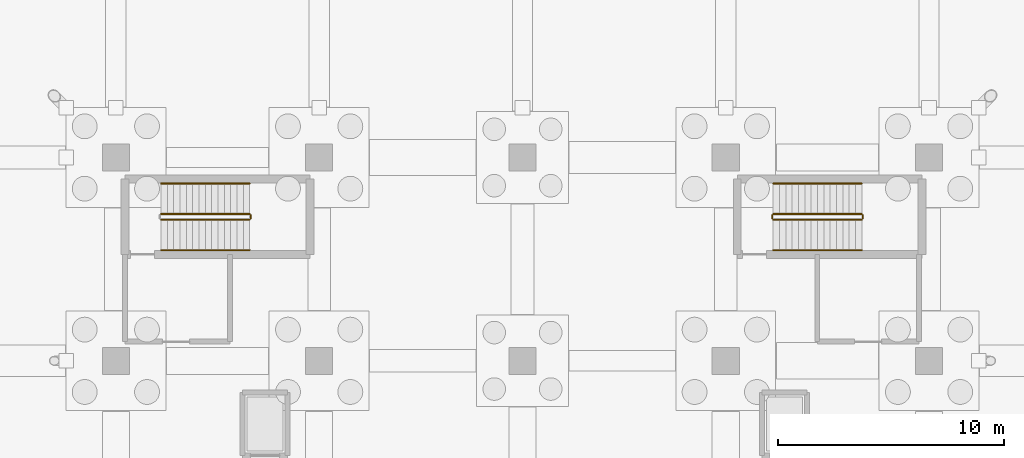
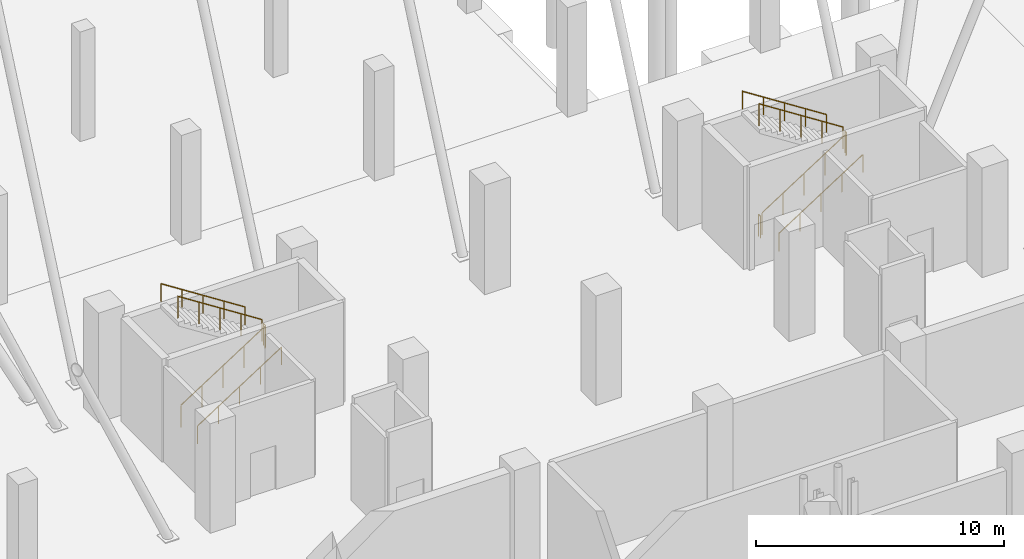
# One storey, part 38 of 42: 11 railings.
"""IFC4 building model written with IfcOpenShell, lengths in metres."""

from ifc_helpers import new_model, si_unit, direction, frame, origin, origin_2d, place, context, subcontext, project, spatial, circle, extrude, material, type_object, element, save


model = new_model("IFC4")

# Units and contexts
model_context = context("Model", 3, precision=1e-05, world=origin(), true_north=direction((0.0, 1.0)))
body_context = subcontext(model_context, "Body", "Model", "MODEL_VIEW")
ifc_project = project(units=[si_unit("LENGTHUNIT", "METRE"), si_unit("AREAUNIT", "SQUARE_METRE"), si_unit("VOLUMEUNIT", "CUBIC_METRE"), si_unit("PLANEANGLEUNIT", "RADIAN"), si_unit("MASSUNIT", "GRAM", prefix="KILO")], contexts=[model_context])

# Site, building, storey
site_placement = place(None, origin())
site = spatial("IfcSite", under=ifc_project, at=site_placement, CompositionType="ELEMENT")
building_placement = place(site_placement, origin())
building = spatial("IfcBuilding", under=site, at=building_placement, Name="Sundgate Opera House", CompositionType="ELEMENT")
storey_placement = place(building_placement, frame((0.0, 0.0, -5.39990234375)))
storey = spatial("IfcBuildingStorey", under=building, at=storey_placement, Name="B01", CompositionType="ELEMENT", Elevation=-5.39990234375)

# Railings
ifc_material_1 = material(Name="Painted steel S275 guardrail", Category="steel")
railing_type_1 = type_object("IfcRailingType", Name="RL-STAIR-GUARD-1100", PredefinedType="GUARDRAIL", material=ifc_material_1)
railing_1_placement = place(storey_placement, frame((38.0, 75.25, 0.179931640625)))
element("IfcRailing", 1, at=railing_1_placement, inside=storey, type_object=railing_type_1, Name="ST02B01 Guardrail RL0047", PredefinedType="GUARDRAIL", context=body_context, shape_type="SweptSolid", body=[
    extrude(circle(Radius=0.02392578125, at=origin_2d()), frame((0.0, 0.0, 1.076171875), z_axis=(0.841171666519, 0.0, 0.540768182723), x_axis=(0.0, 1.0, 0.0)), (0.0, 0.0, 1.0), 4.66015625),
    extrude(circle(Radius=0.02099609375, at=origin_2d()), origin(), (0.0, 0.0, 1.0), 1.052001953125),
    extrude(circle(Radius=0.02099609375, at=origin_2d()), frame((0.97998046875, 0.0, 0.6298828125)), (0.0, 0.0, 1.0), 1.052001953125),
    extrude(circle(Radius=0.02099609375, at=origin_2d()), frame((1.9599609375, 0.0, 1.260009765625)), (0.0, 0.0, 1.0), 1.052001953125),
    extrude(circle(Radius=0.02099609375, at=origin_2d()), frame((2.93994140625, 0.0, 1.89013671875)), (0.0, 0.0, 1.0), 1.052001953125),
    extrude(circle(Radius=0.02099609375, at=origin_2d()), frame((3.919921875, 0.0, 2.52001953125)), (0.0, 0.0, 1.0), 1.052001953125),
])
railing_2_placement = place(storey_placement, frame((41.969970703125, 75.300048828125, 2.699951171875)))
element("IfcRailing", 2, at=railing_2_placement, inside=storey, type_object=railing_type_1, Name="ST02B01 Guardrail RL0048", PredefinedType="GUARDRAIL", context=body_context, shape_type="SweptSolid", body=[
    extrude(circle(Radius=0.02392578125, at=origin_2d()), frame((0.0, 0.0, 1.076171875), z_axis=(0.0, 1.0, 0.0), x_axis=(-1.0, 0.0, 0.0)), (0.0, 0.0, 1.0), 0.14990234375),
    extrude(circle(Radius=0.02099609375, at=origin_2d()), origin(), (0.0, 0.0, 1.0), 1.052001953125),
    extrude(circle(Radius=0.02099609375, at=origin_2d()), frame((0.0, 0.14990234375, 0.0)), (0.0, 0.0, 1.0), 1.052001953125),
])
railing_3_placement = place(storey_placement, frame((41.919921875, 75.5, 2.8798828125)))
element("IfcRailing", 3, at=railing_3_placement, inside=storey, type_object=railing_type_1, Name="ST02B01 Guardrail RL0049", PredefinedType="GUARDRAIL", context=body_context, shape_type="SweptSolid", body=[
    extrude(circle(Radius=0.02392578125, at=origin_2d()), frame((0.0, 0.0, 1.076171875), z_axis=(-0.841171666519, 0.0, 0.540768182723), x_axis=(0.0, -1.0, 0.0)), (0.0, 0.0, 1.0), 4.66015625),
    extrude(circle(Radius=0.02099609375, at=origin_2d()), origin(), (0.0, 0.0, 1.0), 1.052001953125),
    extrude(circle(Radius=0.02099609375, at=origin_2d()), frame((-0.97998046875, 0.0, 0.6298828125)), (0.0, 0.0, 1.0), 1.052001953125),
    extrude(circle(Radius=0.02099609375, at=origin_2d()), frame((-1.9599609375, 0.0, 1.260009765625)), (0.0, 0.0, 1.0), 1.052001953125),
    extrude(circle(Radius=0.02099609375, at=origin_2d()), frame((-2.93994140625, 0.0, 1.89013671875)), (0.0, 0.0, 1.0), 1.052001953125),
    extrude(circle(Radius=0.02099609375, at=origin_2d()), frame((-3.919921875, 0.0, 2.52001953125)), (0.0, 0.0, 1.0), 1.052001953125),
])
railing_4_placement = place(storey_placement, frame((65.10009765625, 75.25, 0.179931640625)))
element("IfcRailing", 4, at=railing_4_placement, inside=storey, type_object=railing_type_1, Name="ST04B01 Guardrail RL0133", PredefinedType="GUARDRAIL", context=body_context, shape_type="SweptSolid", body=[
    extrude(circle(Radius=0.02392578125, at=origin_2d()), frame((0.0, 0.0, 1.076171875), z_axis=(0.841171666519, 0.0, 0.540768182723), x_axis=(0.0, 1.0, 0.0)), (0.0, 0.0, 1.0), 4.66015625),
    extrude(circle(Radius=0.02099609375, at=origin_2d()), origin(), (0.0, 0.0, 1.0), 1.052001953125),
    extrude(circle(Radius=0.02099609375, at=origin_2d()), frame((0.97998046875, 0.0, 0.6298828125)), (0.0, 0.0, 1.0), 1.052001953125),
    extrude(circle(Radius=0.02099609375, at=origin_2d()), frame((1.9599609375, 0.0, 1.260009765625)), (0.0, 0.0, 1.0), 1.052001953125),
    extrude(circle(Radius=0.02099609375, at=origin_2d()), frame((2.93994140625, 0.0, 1.89013671875)), (0.0, 0.0, 1.0), 1.052001953125),
    extrude(circle(Radius=0.02099609375, at=origin_2d()), frame((3.919921875, 0.0, 2.52001953125)), (0.0, 0.0, 1.0), 1.052001953125),
])
railing_5_placement = place(storey_placement, frame((69.070068359375, 75.300048828125, 2.699951171875)))
element("IfcRailing", 5, at=railing_5_placement, inside=storey, type_object=railing_type_1, Name="ST04B01 Guardrail RL0134", PredefinedType="GUARDRAIL", context=body_context, shape_type="SweptSolid", body=[
    extrude(circle(Radius=0.02392578125, at=origin_2d()), frame((0.0, 0.0, 1.076171875), z_axis=(0.0, 1.0, 0.0), x_axis=(-1.0, 0.0, 0.0)), (0.0, 0.0, 1.0), 0.14990234375),
    extrude(circle(Radius=0.02099609375, at=origin_2d()), origin(), (0.0, 0.0, 1.0), 1.052001953125),
    extrude(circle(Radius=0.02099609375, at=origin_2d()), frame((0.0, 0.14990234375, 0.0)), (0.0, 0.0, 1.0), 1.052001953125),
])
railing_6_placement = place(storey_placement, frame((69.02001953125, 75.5, 2.8798828125)))
element("IfcRailing", 6, at=railing_6_placement, inside=storey, type_object=railing_type_1, Name="ST04B01 Guardrail RL0135", PredefinedType="GUARDRAIL", context=body_context, shape_type="SweptSolid", body=[
    extrude(circle(Radius=0.02392578125, at=origin_2d()), frame((0.0, 0.0, 1.076171875), z_axis=(-0.841171666519, 0.0, 0.540768182723), x_axis=(0.0, -1.0, 0.0)), (0.0, 0.0, 1.0), 4.66015625),
    extrude(circle(Radius=0.02099609375, at=origin_2d()), origin(), (0.0, 0.0, 1.0), 1.052001953125),
    extrude(circle(Radius=0.02099609375, at=origin_2d()), frame((-0.97998046875, 0.0, 0.6298828125)), (0.0, 0.0, 1.0), 1.052001953125),
    extrude(circle(Radius=0.02099609375, at=origin_2d()), frame((-1.9599609375, 0.0, 1.260009765625)), (0.0, 0.0, 1.0), 1.052001953125),
    extrude(circle(Radius=0.02099609375, at=origin_2d()), frame((-2.93994140625, 0.0, 1.89013671875)), (0.0, 0.0, 1.0), 1.052001953125),
    extrude(circle(Radius=0.02099609375, at=origin_2d()), frame((-3.919921875, 0.0, 2.52001953125)), (0.0, 0.0, 1.0), 1.052001953125),
])
railing_7_placement = place(storey_placement, frame((65.050048828125, 75.300048828125, 0.0)))
element("IfcRailing", 7, at=railing_7_placement, inside=storey, type_object=railing_type_1, Name="ST04B01 Guardrail RL0136", PredefinedType="GUARDRAIL", context=body_context, shape_type="SweptSolid", body=[
    extrude(circle(Radius=0.02392578125, at=origin_2d()), frame((0.0, 0.0, 1.076171875), z_axis=(0.0, 1.0, 0.0), x_axis=(-1.0, 0.0, 0.0)), (0.0, 0.0, 1.0), 0.14990234375),
    extrude(circle(Radius=0.02099609375, at=origin_2d()), origin(), (0.0, 0.0, 1.0), 1.052001953125),
    extrude(circle(Radius=0.02099609375, at=origin_2d()), frame((0.0, 0.14990234375, 0.0)), (0.0, 0.0, 1.0), 1.052001953125),
])
ifc_material_2 = material(Name="Brushed stainless steel handrail", Category="steel")
railing_type_2 = type_object("IfcRailingType", Name="RL-STAIR-HAND-900", PredefinedType="HANDRAIL", material=ifc_material_2)
railing_8_placement = place(storey_placement, frame((38.0, 73.89990234375, 0.179931640625)))
element("IfcRailing", 8, at=railing_8_placement, inside=storey, type_object=railing_type_2, Name="ST02B01 Handrail RL0051", PredefinedType="HANDRAIL", context=body_context, shape_type="SweptSolid", body=[
    extrude(circle(Radius=0.02392578125, at=origin_2d()), frame((0.0, 0.0, 0.8759765625), z_axis=(0.841171666519, 0.0, 0.540768182723), x_axis=(0.0, 1.0, 0.0)), (0.0, 0.0, 1.0), 4.66015625),
    extrude(circle(Radius=0.02099609375, at=origin_2d()), origin(), (0.0, 0.0, 1.0), 0.851806640625),
    extrude(circle(Radius=0.02099609375, at=origin_2d()), frame((0.97998046875, 0.0, 0.6298828125)), (0.0, 0.0, 1.0), 0.851806640625),
    extrude(circle(Radius=0.02099609375, at=origin_2d()), frame((1.9599609375, 0.0, 1.260009765625)), (0.0, 0.0, 1.0), 0.851806640625),
    extrude(circle(Radius=0.02099609375, at=origin_2d()), frame((2.93994140625, 0.0, 1.89013671875)), (0.0, 0.0, 1.0), 0.851806640625),
    extrude(circle(Radius=0.02099609375, at=origin_2d()), frame((3.919921875, 0.0, 2.52001953125)), (0.0, 0.0, 1.0), 0.851806640625),
])
railing_9_placement = place(storey_placement, frame((41.919921875, 76.85009765625, 2.8798828125)))
element("IfcRailing", 9, at=railing_9_placement, inside=storey, type_object=railing_type_2, Name="ST02B01 Handrail RL0052", PredefinedType="HANDRAIL", context=body_context, shape_type="SweptSolid", body=[
    extrude(circle(Radius=0.02392578125, at=origin_2d()), frame((0.0, 0.0, 0.8759765625), z_axis=(-0.841171666519, 0.0, 0.540768182723), x_axis=(0.0, -1.0, 0.0)), (0.0, 0.0, 1.0), 4.66015625),
    extrude(circle(Radius=0.02099609375, at=origin_2d()), origin(), (0.0, 0.0, 1.0), 0.851806640625),
    extrude(circle(Radius=0.02099609375, at=origin_2d()), frame((-0.97998046875, 0.0, 0.6298828125)), (0.0, 0.0, 1.0), 0.851806640625),
    extrude(circle(Radius=0.02099609375, at=origin_2d()), frame((-1.9599609375, 0.0, 1.260009765625)), (0.0, 0.0, 1.0), 0.851806640625),
    extrude(circle(Radius=0.02099609375, at=origin_2d()), frame((-2.93994140625, 0.0, 1.89013671875)), (0.0, 0.0, 1.0), 0.851806640625),
    extrude(circle(Radius=0.02099609375, at=origin_2d()), frame((-3.919921875, 0.0, 2.52001953125)), (0.0, 0.0, 1.0), 0.851806640625),
])
railing_10_placement = place(storey_placement, frame((65.10009765625, 73.89990234375, 0.179931640625)))
element("IfcRailing", 10, at=railing_10_placement, inside=storey, type_object=railing_type_2, Name="ST04B01 Handrail RL0137", PredefinedType="HANDRAIL", context=body_context, shape_type="SweptSolid", body=[
    extrude(circle(Radius=0.02392578125, at=origin_2d()), frame((0.0, 0.0, 0.8759765625), z_axis=(0.841171666519, 0.0, 0.540768182723), x_axis=(0.0, 1.0, 0.0)), (0.0, 0.0, 1.0), 4.66015625),
    extrude(circle(Radius=0.02099609375, at=origin_2d()), origin(), (0.0, 0.0, 1.0), 0.851806640625),
    extrude(circle(Radius=0.02099609375, at=origin_2d()), frame((0.97998046875, 0.0, 0.6298828125)), (0.0, 0.0, 1.0), 0.851806640625),
    extrude(circle(Radius=0.02099609375, at=origin_2d()), frame((1.9599609375, 0.0, 1.260009765625)), (0.0, 0.0, 1.0), 0.851806640625),
    extrude(circle(Radius=0.02099609375, at=origin_2d()), frame((2.93994140625, 0.0, 1.89013671875)), (0.0, 0.0, 1.0), 0.851806640625),
    extrude(circle(Radius=0.02099609375, at=origin_2d()), frame((3.919921875, 0.0, 2.52001953125)), (0.0, 0.0, 1.0), 0.851806640625),
])
railing_11_placement = place(storey_placement, frame((69.02001953125, 76.85009765625, 2.8798828125)))
element("IfcRailing", 11, at=railing_11_placement, inside=storey, type_object=railing_type_2, Name="ST04B01 Handrail RL0138", PredefinedType="HANDRAIL", context=body_context, shape_type="SweptSolid", body=[
    extrude(circle(Radius=0.02392578125, at=origin_2d()), frame((0.0, 0.0, 0.8759765625), z_axis=(-0.841171666519, 0.0, 0.540768182723), x_axis=(0.0, -1.0, 0.0)), (0.0, 0.0, 1.0), 4.66015625),
    extrude(circle(Radius=0.02099609375, at=origin_2d()), origin(), (0.0, 0.0, 1.0), 0.851806640625),
    extrude(circle(Radius=0.02099609375, at=origin_2d()), frame((-0.97998046875, 0.0, 0.6298828125)), (0.0, 0.0, 1.0), 0.851806640625),
    extrude(circle(Radius=0.02099609375, at=origin_2d()), frame((-1.9599609375, 0.0, 1.260009765625)), (0.0, 0.0, 1.0), 0.851806640625),
    extrude(circle(Radius=0.02099609375, at=origin_2d()), frame((-2.93994140625, 0.0, 1.89013671875)), (0.0, 0.0, 1.0), 0.851806640625),
    extrude(circle(Radius=0.02099609375, at=origin_2d()), frame((-3.919921875, 0.0, 2.52001953125)), (0.0, 0.0, 1.0), 0.851806640625),
])

save(model, "model.ifc")
